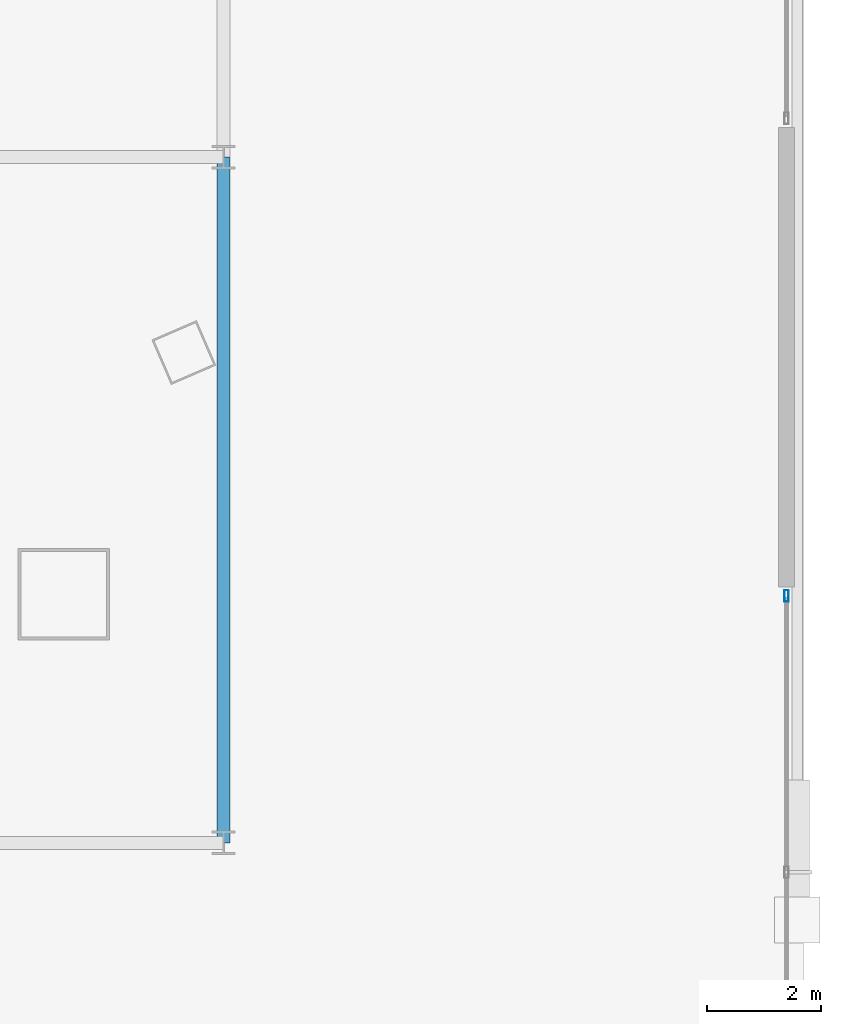
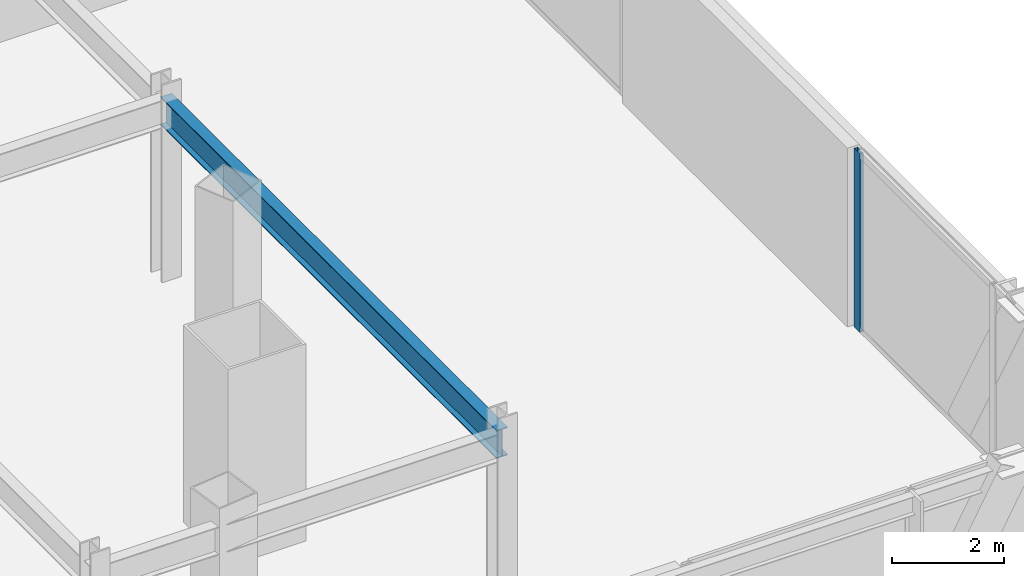
# One storey, part 17 of 46: 1 beam, 1 member, 1 element without a shape of its own.
"""IFC4 building model written with IfcOpenShell, lengths in metres."""

from ifc_helpers import new_model, si_unit, direction, frame, origin, origin_2d, place, context, subcontext, project, spatial, hollow_rectangle, i_section, extrude, material, layer, layer_set, material_profile, profile_set, type_object, element, aggregate, save


model = new_model("IFC4")

# Units and contexts
model_context = context("Model", 3, precision=1e-05, world=origin(), true_north=direction((0.0, 1.0)))
body_context = subcontext(model_context, "Body", "Model", "MODEL_VIEW")
ifc_project = project(units=[si_unit("LENGTHUNIT", "METRE"), si_unit("AREAUNIT", "SQUARE_METRE"), si_unit("VOLUMEUNIT", "CUBIC_METRE"), si_unit("PLANEANGLEUNIT", "RADIAN"), si_unit("MASSUNIT", "GRAM", prefix="KILO")], contexts=[model_context])

# Site, building, storey
site_placement = place(None, origin())
site = spatial("IfcSite", under=ifc_project, at=site_placement, CompositionType="ELEMENT")
building_placement = place(site_placement, origin())
building = spatial("IfcBuilding", under=site, at=building_placement, Name="Orvanel Arch Residences", CompositionType="ELEMENT")
storey_placement = place(building_placement, frame((0.0, 0.0, 14.10009765625)))
storey = spatial("IfcBuildingStorey", under=building, at=storey_placement, Name="L03", CompositionType="ELEMENT", Elevation=14.10009765625)

# Beam
ifc_material_1 = material(Name="Structural steel AS/NZS 3679.1 Grade 300 (300 MPa)", Category="steel")
ifc_material_profile_1 = material_profile(ifc_material_1, i_section(OverallWidth=0.22900390625, OverallDepth=0.612060546875, WebThickness=0.011962890625, FlangeThickness=0.01953125, at=origin_2d()), Name="610UB125")
ifc_profile_set_1 = profile_set([ifc_material_profile_1], Name="Structural steel AS/NZS 3679.1 Grade 300 (300 MPa)")
beam_type = type_object("IfcBeamType", Name="BG-610UB", PredefinedType="BEAM", material=ifc_profile_set_1)
beam_placement = place(storey_placement, frame((54.60009765625, 6.0, 3.593994140625), z_axis=(0.0, 1.0, 0.0), x_axis=(-1.0, 0.0, 0.0)))
element("IfcBeam", 1, at=beam_placement, inside=storey, type_object=beam_type, Name="L03 North-South Podium Girder XE55-S", PredefinedType="BEAM", context=body_context, shape_type="SweptSolid", body=[
    extrude(i_section(OverallWidth=0.22900390625, OverallDepth=0.612060546875, WebThickness=0.011962890625, FlangeThickness=0.01953125, at=origin_2d()), origin(), (0.0, 0.0, 1.0), 12.0),
])

# Curtain wall, member
ifc_material_2 = material(Name="Bronze-anodised aluminium AA6063-T6", Category="aluminium")
ifc_layer = layer(ifc_material_2, 0.199951171875)
ifc_layer_set = layer_set([ifc_layer], Name="Bronze-anodised aluminium AA6063-T6")
curtain_wall_type = type_object("IfcCurtainWallType", Name="CW1-POD-SYS", PredefinedType="NOTDEFINED", material=ifc_layer_set)
curtain_wall_placement = place(storey_placement, origin())
curtain_wall = element("IfcCurtainWall", 2, at=curtain_wall_placement, inside=storey, type_object=curtain_wall_type, Name="L03 CW1-POD-SYS Unitised Curtain Wall", PredefinedType="NOTDEFINED")
ifc_material_profile_2 = material_profile(ifc_material_2, hollow_rectangle(XDim=0.074951171875, YDim=0.199951171875, WallThickness=0.0048828125, at=origin_2d()), Name="ALU200x75x5")
ifc_profile_set_2 = profile_set([ifc_material_profile_2], Name="Bronze-anodised aluminium AA6063-T6")
member_type = type_object("IfcMemberType", Name="MUL-200x75", PredefinedType="MULLION", material=ifc_profile_set_2)
member_placement = place(storey_placement, frame((64.449951171875, 10.322509765625, 0.0), z_axis=(0.0, 0.0, 1.0), x_axis=(-1.0, 0.0, 0.0)))
member = element("IfcMember", 3, at=member_placement, type_object=member_type, Name="CW-S1 mullion 3", PredefinedType="MULLION", context=body_context, shape_type="SweptSolid", body=[
    extrude(hollow_rectangle(XDim=0.074951171875, YDim=0.199951171875, WallThickness=0.0048828125, at=origin_2d()), origin(), (0.0, 0.0, 1.0), 3.89990234375),
])
aggregate(curtain_wall, [member])

save(model, "model.ifc")
